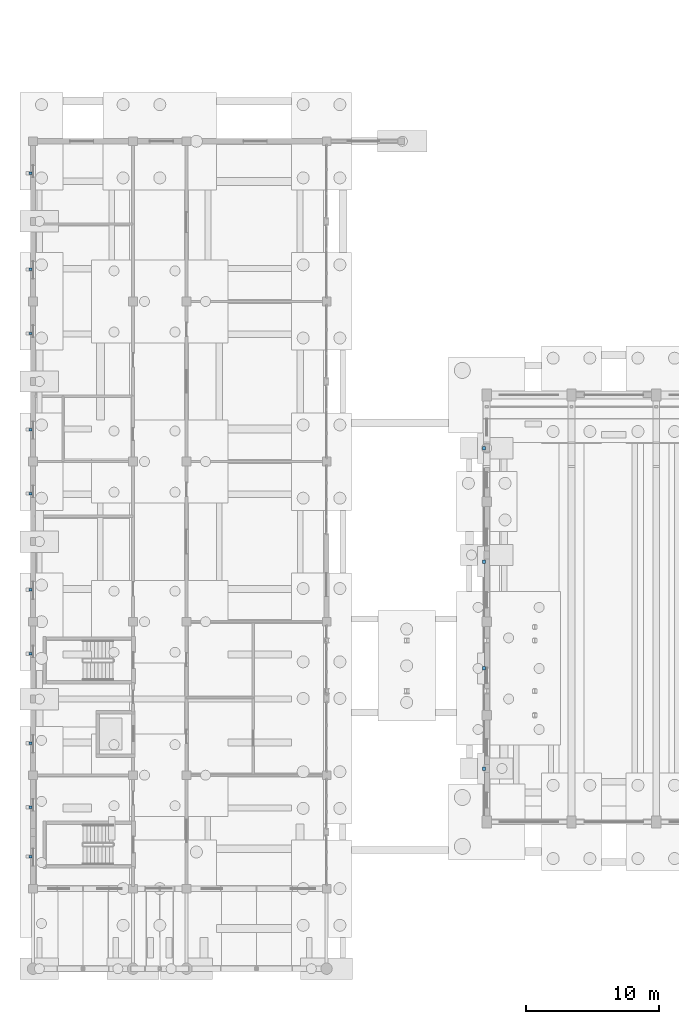
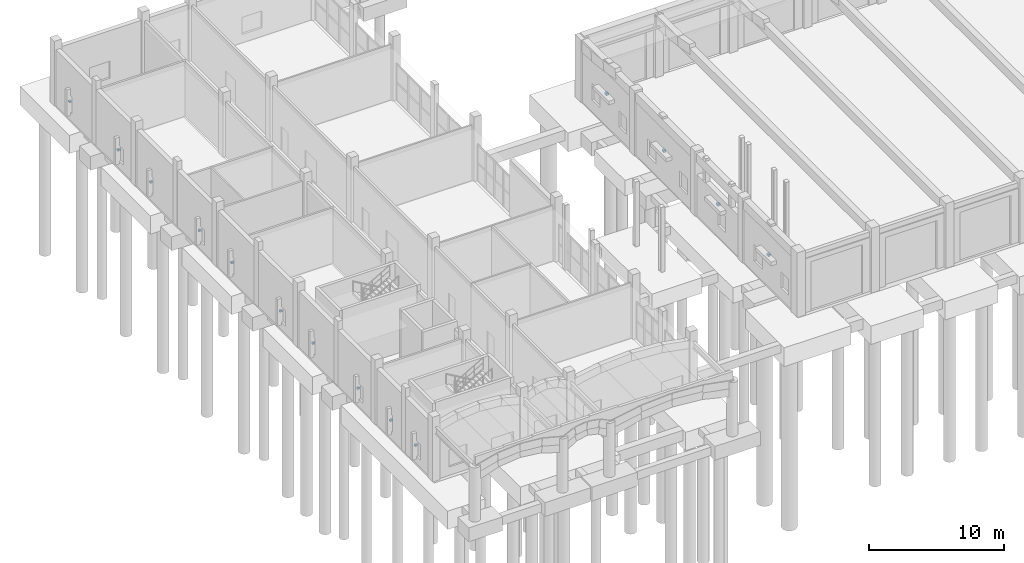
# One storey, part 47 of 60: 14 discrete accessories.
"""IFC4 building model written with IfcOpenShell, lengths in metres."""

import ifcopenshell
import ifcopenshell.guid

model = None  # the IFC model being written
_history = None  # IfcOwnerHistory: only IFC2X3 demands one
_inside = {}  # id of a spatial element -> (the spatial element, [elements in it])
_under = {}  # id of a project, library or spatial element -> (it, [spatial elements below it])
_declared = {}  # id of a project -> (the project, [libraries it declares])
_typed = {}  # id of a type object -> (the type object, [elements of that type])
_made_of = {}  # id of a material, layer set ... -> (it, [elements and type objects made of it])


def new_model(schema):
    """Start an empty IFC model of exactly this schema.

    Asked for "IFC4X3", IfcOpenShell would pick the latest addendum, in which some entities
    have other attributes; the version numbers below select the first issue.
    IFC2X3 requires an IfcOwnerHistory on every rooted entity: one is made here for all.
    """
    global model, _history
    if schema == "IFC4X3":
        model = ifcopenshell.file(schema_version=(4, 3, 0, 0))
    else:
        model = ifcopenshell.file(schema=schema)
    _inside.clear()
    _under.clear()
    _declared.clear()
    _typed.clear()
    _made_of.clear()
    _history = None
    if model.schema == "IFC2X3":
        org = make("IfcOrganization", Name="unknown")
        user = make(
            "IfcPersonAndOrganization",
            ThePerson=make("IfcPerson", FamilyName="unknown"),
            TheOrganization=org,
        )
        app = make(
            "IfcApplication",
            ApplicationDeveloper=org,
            Version="unknown",
            ApplicationFullName="unknown",
            ApplicationIdentifier="unknown",
        )
        _history = make(
            "IfcOwnerHistory",
            OwningUser=user,
            OwningApplication=app,
            ChangeAction="ADDED",
            CreationDate=0,
        )
    return model


def make(cls, **values):
    """One entity of the class cls with the attributes given. An attribute that is None is left unset."""
    return model.create_entity(
        cls, **{name: value for name, value in values.items() if value is not None}
    )


def rooted(cls, **values):
    """An entity with a GlobalId (a new one), such as an element, a storey or a relation."""
    return make(cls, GlobalId=ifcopenshell.guid.new(), OwnerHistory=_history, **values)


def si_unit(unit_type, name, prefix=None):
    """IfcSIUnit, for example si_unit("LENGTHUNIT", "METRE", prefix="MILLI")."""
    return make("IfcSIUnit", UnitType=unit_type, Prefix=prefix, Name=name)


def assignment(units):
    """IfcUnitAssignment: the units of a project."""
    return None if units is None else make("IfcUnitAssignment", Units=units)


def point(xyz):
    """IfcCartesianPoint."""
    return None if xyz is None else make("IfcCartesianPoint", Coordinates=xyz)


def direction(xyz):
    """IfcDirection."""
    return None if xyz is None else make("IfcDirection", DirectionRatios=xyz)


def frame(location, z_axis=None, x_axis=None):
    """IfcAxis2Placement3D, a coordinate frame: its origin and axes. An axis left out is left unset."""
    return make(
        "IfcAxis2Placement3D",
        Location=point(location),
        Axis=direction(z_axis),
        RefDirection=direction(x_axis),
    )


def frame_2d(location, x_axis=None):
    """IfcAxis2Placement2D, a coordinate frame in the plane: its origin and x axis."""
    return make(
        "IfcAxis2Placement2D", Location=point(location), RefDirection=direction(x_axis)
    )


def origin():
    """The frame at (0, 0, 0) with its axes left unset."""
    return frame((0.0, 0.0, 0.0))


def origin_2d():
    """The frame at (0, 0) in the plane with its x axis left unset."""
    return frame_2d((0.0, 0.0))


def place(relative_to, where):
    """IfcLocalPlacement: puts the frame where relative to a parent placement (None: the world)."""
    return make(
        "IfcLocalPlacement", PlacementRelTo=relative_to, RelativePlacement=where
    )


def context(
    kind, dimensions, precision=None, world=None, true_north=None, identifier=None
):
    """IfcGeometricRepresentationContext, for example the 3D "Model" context."""
    return make(
        "IfcGeometricRepresentationContext",
        ContextIdentifier=identifier,
        ContextType=kind,
        CoordinateSpaceDimension=dimensions,
        Precision=precision,
        WorldCoordinateSystem=world,
        TrueNorth=true_north,
    )


def subcontext(parent, identifier, kind, view, scale=None):
    """IfcGeometricRepresentationSubContext, for example "Body" below "Model"."""
    return make(
        "IfcGeometricRepresentationSubContext",
        ContextIdentifier=identifier,
        ContextType=kind,
        ParentContext=parent,
        TargetScale=scale,
        TargetView=view,
    )


def project(units=None, contexts=None):
    """IfcProject with its units and contexts."""
    return rooted(
        "IfcProject",
        Name="project",
        RepresentationContexts=contexts,
        UnitsInContext=assignment(units),
    )


def spatial(cls, under=None, at=None, **own):
    """A site, building, storey or space (cls), placed at a placement, below another one or the project."""
    s = rooted(cls, ObjectPlacement=at, **own)
    if under is not None:
        _under.setdefault(under.id(), (under, []))[1].append(s)
    return s


def profile(cls, at=None, kind="AREA", **sizes):
    """A parametric profile (cls). Its sizes go by their IFC names, for example OverallWidth=200.0."""
    return make(cls, ProfileType=kind, Position=at, **sizes)


def rectangle(**sizes):
    """IfcRectangleProfileDef."""
    return profile("IfcRectangleProfileDef", **sizes)


def extrude(swept, where, along, depth):
    """IfcExtrudedAreaSolid: the profile swept, set in the frame where, extruded along a direction by depth."""
    return make(
        "IfcExtrudedAreaSolid",
        SweptArea=swept,
        Position=where,
        ExtrudedDirection=direction(along),
        Depth=depth,
    )


def shape(context_of_items, identifier, shape_type, items):
    """IfcShapeRepresentation: the items that make up one representation, for example the "Body"."""
    return make(
        "IfcShapeRepresentation",
        ContextOfItems=context_of_items,
        RepresentationIdentifier=identifier,
        RepresentationType=shape_type,
        Items=items,
    )


def material(Name=None, Category=None):
    """IfcMaterial."""
    return make("IfcMaterial", Name=Name, Category=Category)


def made_of(thing, what):
    """Note that an element or type object is made of a material, layer set ...; save() writes the relation."""
    if what is not None:
        _made_of.setdefault(what.id(), (what, []))[1].append(thing)
    return thing


def type_object(cls, material=None, **own):
    """A type object (cls), such as IfcWallType, which elements share."""
    return made_of(rooted(cls, **own), material)


def element(
    cls,
    number,
    at=None,
    inside=None,
    cuts=None,
    type_object=None,
    material=None,
    context=None,
    identifier="Body",
    shape_type=None,
    held_by="IfcProductDefinitionShape",
    body=None,
    shapes=None,
    **own,
):
    """One element of the class cls, such as IfcWall. Its Tag is "e" and its number.

    at: its placement. inside: the storey or other place that contains it. cuts: it is an
    opening in that element (IfcRelVoidsElement). A single representation is given by context,
    identifier, shape_type and body (its items); several are given by shapes. held_by: the class
    of the entity that holds the representations. save() writes the other relations.
    """
    e = rooted(cls, Tag="e%d" % number, ObjectPlacement=at, **own)
    if body is not None:
        shapes = [shape(context, identifier, shape_type, body)]
    if shapes is not None:
        e.Representation = make(held_by, Representations=shapes)
    if inside is not None:
        _inside.setdefault(inside.id(), (inside, []))[1].append(e)
    if cuts is not None:
        rooted(
            "IfcRelVoidsElement", RelatingBuildingElement=cuts, RelatedOpeningElement=e
        )
    if type_object is not None:
        _typed.setdefault(type_object.id(), (type_object, []))[1].append(e)
    return made_of(e, material)


def aggregate(whole, parts):
    """IfcRelAggregates: a whole, such as a stair, and the parts it consists of."""
    return rooted("IfcRelAggregates", RelatingObject=whole, RelatedObjects=parts)


def save(model, path):
    """Write the relations noted so far, then the file.

    IfcRelAggregates (storeys below a building ...), IfcRelContainedInSpatialStructure (elements
    in a storey), IfcRelDefinesByType, IfcRelAssociatesMaterial and IfcRelDeclares: one each for
    every whole, place, type object, material and project.
    """
    for whole, parts in _under.values():
        aggregate(whole, parts)
    for where, things in _inside.values():
        rooted(
            "IfcRelContainedInSpatialStructure",
            RelatedElements=things,
            RelatingStructure=where,
        )
    for kind, things in _typed.values():
        rooted("IfcRelDefinesByType", RelatedObjects=things, RelatingType=kind)
    for what, things in _made_of.values():
        rooted("IfcRelAssociatesMaterial", RelatedObjects=things, RelatingMaterial=what)
    for by, libraries in _declared.values():
        rooted("IfcRelDeclares", RelatingContext=by, RelatedDefinitions=libraries)
    model.write(path)


model = new_model("IFC4")

# Units and contexts
model_context = context("Model", 3, precision=1e-05, world=origin(), true_north=direction((0.0, 1.0)))
body_context = subcontext(model_context, "Body", "Model", "MODEL_VIEW")
ifc_project = project(units=[si_unit("LENGTHUNIT", "METRE"), si_unit("AREAUNIT", "SQUARE_METRE"), si_unit("VOLUMEUNIT", "CUBIC_METRE"), si_unit("PLANEANGLEUNIT", "RADIAN"), si_unit("MASSUNIT", "GRAM", prefix="KILO")], contexts=[model_context])

# Site, building, storey
site_placement = place(None, origin())
site = spatial("IfcSite", under=ifc_project, at=site_placement, CompositionType="ELEMENT")
building_placement = place(site_placement, origin())
building = spatial("IfcBuilding", under=site, at=building_placement, Name="Trellovar Central Fire Station", CompositionType="ELEMENT")
storey_placement = place(building_placement, origin())
storey = spatial("IfcBuildingStorey", under=building, at=storey_placement, Name="L01", CompositionType="ELEMENT", Elevation=0.0)

# Discrete accessories
ifc_material_1 = material(Name="Patina bronze wrought metalwork", Category="metal")
discrete_accessory_type_1 = type_object("IfcDiscreteAccessoryType", Name="ACC-BRK1", PredefinedType="BRACKET", material=ifc_material_1)
for number, where, z_axis, x_axis, name in (
    (1, (34.7900390625, 18.0, 2.85009765625), (0.0, 0.0, 1.0), (0.0, 1.0, 0.0), "L01 bronze shade mounting bracket 15"),
    (2, (34.7900390625, 25.5, 2.85009765625), (0.0, 0.0, 1.0), (0.0, 1.0, 0.0), "L01 bronze shade mounting bracket 16"),
    (3, (34.7900390625, 33.5, 2.85009765625), (0.0, 0.0, 1.0), (0.0, 1.0, 0.0), "L01 bronze shade mounting bracket 17"),
    (4, (34.7900390625, 42.0, 2.85009765625), (0.0, 0.0, 1.0), (0.0, 1.0, 0.0), "L01 bronze shade mounting bracket 18"),
):
    element("IfcDiscreteAccessory", number, at=place(storey_placement, frame(where, z_axis=z_axis, x_axis=x_axis)), inside=storey, type_object=discrete_accessory_type_1, Name=name, PredefinedType="BRACKET", context=body_context, shape_type="SweptSolid", body=[
        extrude(rectangle(XDim=0.260009765625, YDim=0.219970703125, at=origin_2d()), origin(), (0.0, 0.0, 1.0), 0.199951171875),
    ])
ifc_material_2 = material(Name="Patina bronze wrought metalwork", Category="metal")
discrete_accessory_type_2 = type_object("IfcDiscreteAccessoryType", Name="ACC-BRK2", PredefinedType="BRACKET", material=ifc_material_2)
for number, where, z_axis, x_axis, name in (
    (5, (0.81005859375, 11.39990234375, 1.56982421875), (0.0, 0.0, 1.0), (1.0, 0.0, 0.0), "L01 bronze shade mounting bracket 24"),
    (6, (0.81005859375, 15.10009765625, 1.56982421875), (0.0, 0.0, 1.0), (1.0, 0.0, 0.0), "L01 bronze shade mounting bracket 25"),
    (7, (0.81005859375, 19.89990234375, 1.56982421875), (0.0, 0.0, 1.0), (1.0, 0.0, 0.0), "L01 bronze shade mounting bracket 26"),
    (8, (0.81005859375, 26.60009765625, 1.56982421875), (0.0, 0.0, 1.0), (1.0, 0.0, 0.0), "L01 bronze shade mounting bracket 27"),
    (9, (0.81005859375, 31.39990234375, 1.56982421875), (0.0, 0.0, 1.0), (1.0, 0.0, 0.0), "L01 bronze shade mounting bracket 28"),
    (10, (0.81005859375, 38.60009765625, 1.56982421875), (0.0, 0.0, 1.0), (1.0, 0.0, 0.0), "L01 bronze shade mounting bracket 29"),
    (11, (0.81005859375, 43.39990234375, 1.56982421875), (0.0, 0.0, 1.0), (1.0, 0.0, 0.0), "L01 bronze shade mounting bracket 30"),
    (12, (0.81005859375, 50.60009765625, 1.56982421875), (0.0, 0.0, 1.0), (1.0, 0.0, 0.0), "L01 bronze shade mounting bracket 31"),
    (13, (0.81005859375, 55.39990234375, 1.56982421875), (0.0, 0.0, 1.0), (1.0, 0.0, 0.0), "L01 bronze shade mounting bracket 32"),
    (14, (0.81005859375, 62.60009765625, 1.56982421875), (0.0, 0.0, 1.0), (1.0, 0.0, 0.0), "L01 bronze shade mounting bracket 33"),
):
    element("IfcDiscreteAccessory", number, at=place(storey_placement, frame(where, z_axis=z_axis, x_axis=x_axis)), inside=storey, type_object=discrete_accessory_type_2, Name=name, PredefinedType="BRACKET", context=body_context, shape_type="SweptSolid", body=[
        extrude(rectangle(XDim=0.199951171875, YDim=0.179931640625, at=origin_2d()), origin(), (0.0, 0.0, 1.0), 0.159912109375),
    ])

save(model, "model.ifc")
